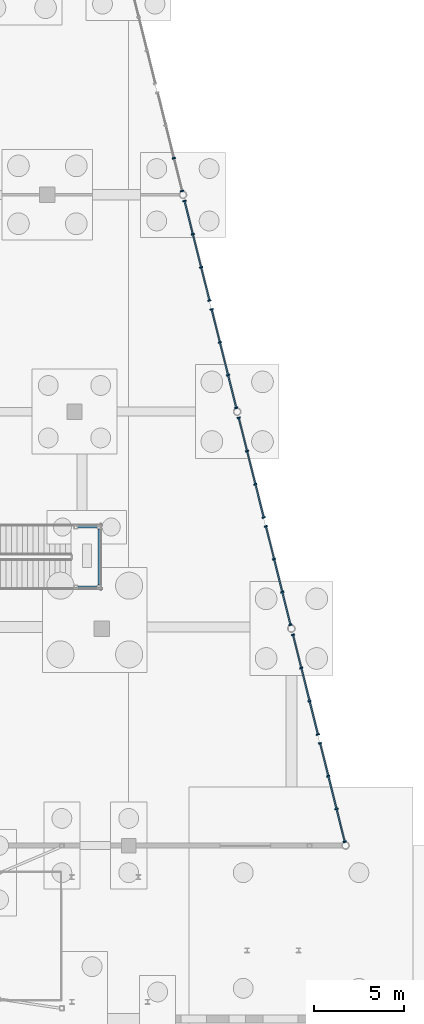
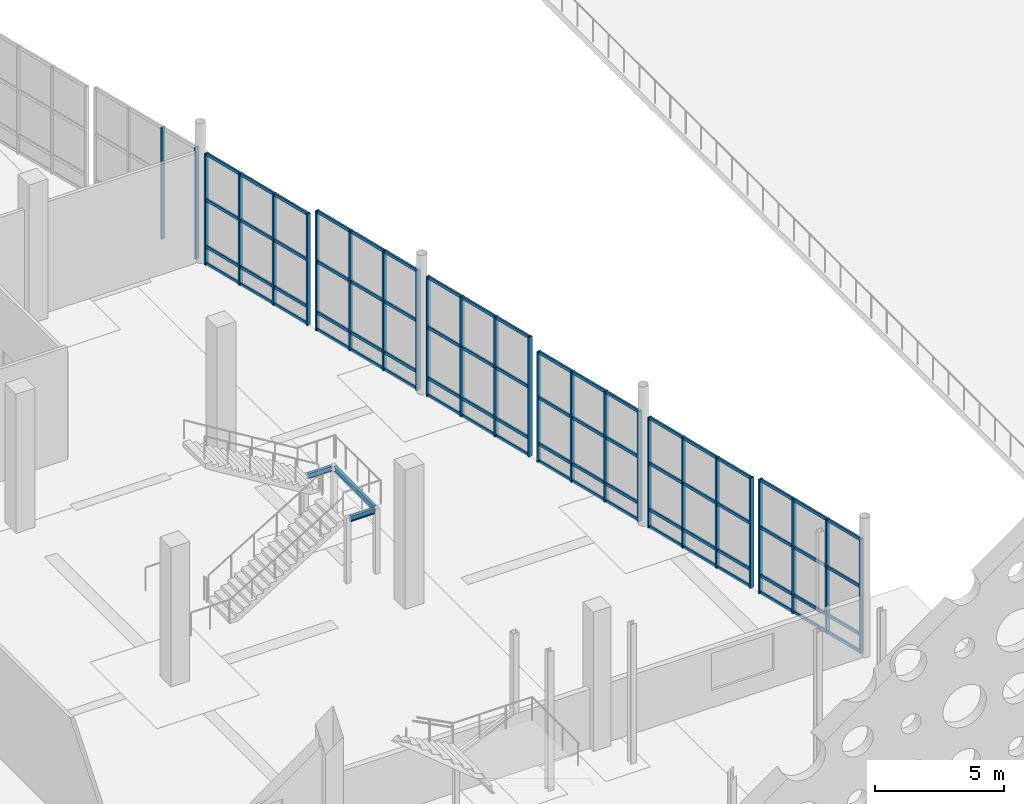
# One storey, part 51 of 117: 50 members, 3 beams, 7 elements without a shape of their own.
"""IFC4 building model written with IfcOpenShell, lengths in metres."""

from ifc_helpers import new_model, si_unit, direction, frame, origin, origin_2d, place, context, subcontext, project, spatial, rectangle, i_section, extrude, material, material_profile, profile_set, type_object, element, aggregate, save


model = new_model("IFC4")

# Units and contexts
model_context = context("Model", 3, precision=1e-05, world=origin(), true_north=direction((0.0, 1.0)))
body_context = subcontext(model_context, "Body", "Model", "MODEL_VIEW")
ifc_project = project(units=[si_unit("LENGTHUNIT", "METRE"), si_unit("AREAUNIT", "SQUARE_METRE"), si_unit("VOLUMEUNIT", "CUBIC_METRE"), si_unit("PLANEANGLEUNIT", "RADIAN"), si_unit("MASSUNIT", "GRAM", prefix="KILO")], contexts=[model_context])

# Site, building, storey
site_placement = place(None, origin())
site = spatial("IfcSite", under=ifc_project, at=site_placement, CompositionType="ELEMENT")
building_placement = place(site_placement, origin())
building = spatial("IfcBuilding", under=site, at=building_placement, Name="Kamomehara Wholesale Market", CompositionType="ELEMENT")
storey_placement = place(building_placement, origin())
storey = spatial("IfcBuildingStorey", under=building, at=storey_placement, Name="L00", CompositionType="ELEMENT", Elevation=0.0)

# Beams
ifc_material_1 = material(Name="Steel SN400B", Category="steel")
ifc_material_profile_1 = material_profile(ifc_material_1, i_section(OverallWidth=0.125, OverallDepth=0.25, WebThickness=0.006103515625, FlangeThickness=0.009033203125, FilletRadius=0.008056640625, at=origin_2d()), Name="H-250x125x6x9")
ifc_profile_set_1 = profile_set([ifc_material_profile_1], Name="Steel SN400B")
beam_type = type_object("IfcBeamType", Name="BM-ST-H250", PredefinedType="JOIST", material=ifc_profile_set_1)
beam_placement = place(storey_placement, frame((190.3701171875, 38.39990234375, 2.97509765625), z_axis=(0.0, 1.0, 0.0), x_axis=(-1.0, 0.0, 0.0)))
element("IfcBeam", 1, at=beam_placement, inside=storey, type_object=beam_type, Name="Beam SJ-06 L00", PredefinedType="JOIST", context=body_context, shape_type="SweptSolid", body=[
    extrude(i_section(OverallWidth=0.125, OverallDepth=0.25, WebThickness=0.006103515625, FlangeThickness=0.009033203125, FilletRadius=0.008056640625, at=origin_2d()), origin(), (0.0, 0.0, 1.0), 3.1201171875),
])
for number, where, z_axis, x_axis, name in (
    (2, (189.169921875, 38.300048828125, 2.97509765625), (1.0, 0.0, 0.0), (0.0, 1.0, 0.0), "Beam SJ-06 L00"),
    (3, (189.169921875, 41.6201171875, 2.97509765625), (1.0, 0.0, 0.0), (0.0, 1.0, 0.0), "Beam SJ-06 L00"),
):
    element("IfcBeam", number, at=place(storey_placement, frame(where, z_axis=z_axis, x_axis=x_axis)), inside=storey, type_object=beam_type, Name=name, PredefinedType="JOIST", context=body_context, shape_type="SweptSolid", body=[
        extrude(i_section(OverallWidth=0.125, OverallDepth=0.25, WebThickness=0.006103515625, FlangeThickness=0.009033203125, FilletRadius=0.008056640625, at=origin_2d()), origin(), (0.0, 0.0, 1.0), 1.10009765625),
    ])

# Curtain wall, members
ifc_material_2 = material(Name="Anodised aluminium 6063-T5", Category="aluminium")
curtain_wall_type = type_object("IfcCurtainWallType", Name="CW-UN-09", PredefinedType="NOTDEFINED", material=ifc_material_2)
curtain_wall_1_placement = place(storey_placement, origin())
curtain_wall_1 = element("IfcCurtainWall", 4, at=curtain_wall_1_placement, inside=storey, type_object=curtain_wall_type, Name="Unitised curtain wall CW-159", PredefinedType="NOTDEFINED")
ifc_material_3 = material(Name="Anodised aluminium 6063-T5", Category="aluminium")
ifc_material_profile_2 = material_profile(ifc_material_3, rectangle(XDim=0.074951171875, YDim=0.179931640625, at=origin_2d()), Name="ALU-MUL-75x180")
ifc_profile_set_2 = profile_set([ifc_material_profile_2], Name="Anodised aluminium 6063-T5")
member_type_1 = type_object("IfcMemberType", Name="CW-MUL-180", PredefinedType="MULLION", material=ifc_profile_set_2)
member_1_placement = place(storey_placement, frame((201.0849609375, 35.659912109375, 0.0), z_axis=(0.0, 0.0, 1.0), x_axis=(0.242617855844, -0.97012193874, 0.0)))
member_1 = element("IfcMember", 5, at=member_1_placement, type_object=member_type_1, Name="Mullion CW-159.0", PredefinedType="MULLION", context=body_context, shape_type="SweptSolid", body=[
    extrude(rectangle(XDim=0.074951171875, YDim=0.179931640625, at=origin_2d()), origin(), (0.0, 0.0, 1.0), 5.22802734375),
])
member_2_placement = place(storey_placement, frame((201.544921875, 33.822021484375, 0.0), z_axis=(0.0, 0.0, 1.0), x_axis=(0.242617855844, -0.97012193874, 0.0)))
member_2 = element("IfcMember", 6, at=member_2_placement, type_object=member_type_1, Name="Mullion CW-159.1", PredefinedType="MULLION", context=body_context, shape_type="SweptSolid", body=[
    extrude(rectangle(XDim=0.074951171875, YDim=0.179931640625, at=origin_2d()), origin(), (0.0, 0.0, 1.0), 5.22802734375),
])
member_3_placement = place(storey_placement, frame((202.00390625, 31.98388671875, 0.0), z_axis=(0.0, 0.0, 1.0), x_axis=(0.242617855844, -0.97012193874, 0.0)))
member_3 = element("IfcMember", 7, at=member_3_placement, type_object=member_type_1, Name="Mullion CW-159.2", PredefinedType="MULLION", context=body_context, shape_type="SweptSolid", body=[
    extrude(rectangle(XDim=0.074951171875, YDim=0.179931640625, at=origin_2d()), origin(), (0.0, 0.0, 1.0), 5.22802734375),
])
member_4_placement = place(storey_placement, frame((202.464111328125, 30.14599609375, 0.0), z_axis=(0.0, 0.0, 1.0), x_axis=(0.242617855844, -0.97012193874, 0.0)))
member_4 = element("IfcMember", 8, at=member_4_placement, type_object=member_type_1, Name="Mullion CW-159.3", PredefinedType="MULLION", context=body_context, shape_type="SweptSolid", body=[
    extrude(rectangle(XDim=0.074951171875, YDim=0.179931640625, at=origin_2d()), origin(), (0.0, 0.0, 1.0), 5.22802734375),
])

curtain_wall_2_placement = place(storey_placement, origin())
curtain_wall_2 = element("IfcCurtainWall", 9, at=curtain_wall_2_placement, inside=storey, type_object=curtain_wall_type, Name="Unitised curtain wall CW-160", PredefinedType="NOTDEFINED")
member_5_placement = place(storey_placement, frame((202.5849609375, 29.659912109375, 0.0), z_axis=(0.0, 0.0, 1.0), x_axis=(0.242494251575, -0.970152842573, 0.0)))
member_5 = element("IfcMember", 10, at=member_5_placement, type_object=member_type_1, Name="Mullion CW-160.0", PredefinedType="MULLION", context=body_context, shape_type="SweptSolid", body=[
    extrude(rectangle(XDim=0.074951171875, YDim=0.179931640625, at=origin_2d()), origin(), (0.0, 0.0, 1.0), 5.403076171875),
])
member_6_placement = place(storey_placement, frame((203.0390625, 27.842041015625, 0.0), z_axis=(0.0, 0.0, 1.0), x_axis=(0.242494251575, -0.970152842573, 0.0)))
member_6 = element("IfcMember", 11, at=member_6_placement, type_object=member_type_1, Name="Mullion CW-160.1", PredefinedType="MULLION", context=body_context, shape_type="SweptSolid", body=[
    extrude(rectangle(XDim=0.074951171875, YDim=0.179931640625, at=origin_2d()), origin(), (0.0, 0.0, 1.0), 5.403076171875),
])
member_7_placement = place(storey_placement, frame((203.493896484375, 26.02490234375, 0.0), z_axis=(0.0, 0.0, 1.0), x_axis=(0.242494251575, -0.970152842573, 0.0)))
member_7 = element("IfcMember", 12, at=member_7_placement, type_object=member_type_1, Name="Mullion CW-160.2", PredefinedType="MULLION", context=body_context, shape_type="SweptSolid", body=[
    extrude(rectangle(XDim=0.074951171875, YDim=0.179931640625, at=origin_2d()), origin(), (0.0, 0.0, 1.0), 5.403076171875),
])
member_8_placement = place(storey_placement, frame((203.947998046875, 24.20703125, 0.0), z_axis=(0.0, 0.0, 1.0), x_axis=(0.242494251575, -0.970152842573, 0.0)))
member_8 = element("IfcMember", 13, at=member_8_placement, type_object=member_type_1, Name="Mullion CW-160.3", PredefinedType="MULLION", context=body_context, shape_type="SweptSolid", body=[
    extrude(rectangle(XDim=0.074951171875, YDim=0.179931640625, at=origin_2d()), origin(), (0.0, 0.0, 1.0), 5.403076171875),
])

curtain_wall_3_placement = place(storey_placement, origin())
curtain_wall_3 = element("IfcCurtainWall", 14, at=curtain_wall_3_placement, inside=storey, type_object=curtain_wall_type, Name="Unitised curtain wall CW-161", PredefinedType="NOTDEFINED")
member_9_placement = place(storey_placement, frame((198.0849609375, 47.659912109375, 0.0), z_axis=(0.0, 0.0, 1.0), x_axis=(0.242617855844, -0.97012193874, 0.0)))
member_9 = element("IfcMember", 15, at=member_9_placement, type_object=member_type_1, Name="Mullion CW-161.0", PredefinedType="MULLION", context=body_context, shape_type="SweptSolid", body=[
    extrude(rectangle(XDim=0.074951171875, YDim=0.179931640625, at=origin_2d()), origin(), (0.0, 0.0, 1.0), 5.669921875),
])
member_10_placement = place(storey_placement, frame((198.544921875, 45.822021484375, 0.0), z_axis=(0.0, 0.0, 1.0), x_axis=(0.242617855844, -0.97012193874, 0.0)))
member_10 = element("IfcMember", 16, at=member_10_placement, type_object=member_type_1, Name="Mullion CW-161.1", PredefinedType="MULLION", context=body_context, shape_type="SweptSolid", body=[
    extrude(rectangle(XDim=0.074951171875, YDim=0.179931640625, at=origin_2d()), origin(), (0.0, 0.0, 1.0), 5.669921875),
])
member_11_placement = place(storey_placement, frame((199.00390625, 43.98388671875, 0.0), z_axis=(0.0, 0.0, 1.0), x_axis=(0.242617855844, -0.97012193874, 0.0)))
member_11 = element("IfcMember", 17, at=member_11_placement, type_object=member_type_1, Name="Mullion CW-161.2", PredefinedType="MULLION", context=body_context, shape_type="SweptSolid", body=[
    extrude(rectangle(XDim=0.074951171875, YDim=0.179931640625, at=origin_2d()), origin(), (0.0, 0.0, 1.0), 5.669921875),
])
member_12_placement = place(storey_placement, frame((199.464111328125, 42.14599609375, 0.0), z_axis=(0.0, 0.0, 1.0), x_axis=(0.242617855844, -0.97012193874, 0.0)))
member_12 = element("IfcMember", 18, at=member_12_placement, type_object=member_type_1, Name="Mullion CW-161.3", PredefinedType="MULLION", context=body_context, shape_type="SweptSolid", body=[
    extrude(rectangle(XDim=0.074951171875, YDim=0.179931640625, at=origin_2d()), origin(), (0.0, 0.0, 1.0), 5.669921875),
])

curtain_wall_4_placement = place(storey_placement, origin())
curtain_wall_4 = element("IfcCurtainWall", 19, at=curtain_wall_4_placement, inside=storey, type_object=curtain_wall_type, Name="Unitised curtain wall CW-162", PredefinedType="NOTDEFINED")
member_13_placement = place(storey_placement, frame((199.5849609375, 41.659912109375, 0.0), z_axis=(0.0, 0.0, 1.0), x_axis=(0.242494251575, -0.970152842573, 0.0)))
member_13 = element("IfcMember", 20, at=member_13_placement, type_object=member_type_1, Name="Mullion CW-162.0", PredefinedType="MULLION", context=body_context, shape_type="SweptSolid", body=[
    extrude(rectangle(XDim=0.074951171875, YDim=0.179931640625, at=origin_2d()), origin(), (0.0, 0.0, 1.0), 5.22802734375),
])
member_14_placement = place(storey_placement, frame((200.0390625, 39.842041015625, 0.0), z_axis=(0.0, 0.0, 1.0), x_axis=(0.242494251575, -0.970152842573, 0.0)))
member_14 = element("IfcMember", 21, at=member_14_placement, type_object=member_type_1, Name="Mullion CW-162.1", PredefinedType="MULLION", context=body_context, shape_type="SweptSolid", body=[
    extrude(rectangle(XDim=0.074951171875, YDim=0.179931640625, at=origin_2d()), origin(), (0.0, 0.0, 1.0), 5.22802734375),
])
member_15_placement = place(storey_placement, frame((200.493896484375, 38.02490234375, 0.0), z_axis=(0.0, 0.0, 1.0), x_axis=(0.242494251575, -0.970152842573, 0.0)))
member_15 = element("IfcMember", 22, at=member_15_placement, type_object=member_type_1, Name="Mullion CW-162.2", PredefinedType="MULLION", context=body_context, shape_type="SweptSolid", body=[
    extrude(rectangle(XDim=0.074951171875, YDim=0.179931640625, at=origin_2d()), origin(), (0.0, 0.0, 1.0), 5.22802734375),
])
member_16_placement = place(storey_placement, frame((200.947998046875, 36.20703125, 0.0), z_axis=(0.0, 0.0, 1.0), x_axis=(0.242494251575, -0.970152842573, 0.0)))
member_16 = element("IfcMember", 23, at=member_16_placement, type_object=member_type_1, Name="Mullion CW-162.3", PredefinedType="MULLION", context=body_context, shape_type="SweptSolid", body=[
    extrude(rectangle(XDim=0.074951171875, YDim=0.179931640625, at=origin_2d()), origin(), (0.0, 0.0, 1.0), 5.22802734375),
])

curtain_wall_5_placement = place(storey_placement, origin())
curtain_wall_5 = element("IfcCurtainWall", 24, at=curtain_wall_5_placement, inside=storey, type_object=curtain_wall_type, Name="Unitised curtain wall CW-163", PredefinedType="NOTDEFINED")
member_17_placement = place(storey_placement, frame((195.0849609375, 59.659912109375, 0.0), z_axis=(0.0, 0.0, 1.0), x_axis=(0.242617855844, -0.97012193874, 0.0)))
member_17 = element("IfcMember", 25, at=member_17_placement, type_object=member_type_1, Name="Mullion CW-163.0", PredefinedType="MULLION", context=body_context, shape_type="SweptSolid", body=[
    extrude(rectangle(XDim=0.074951171875, YDim=0.179931640625, at=origin_2d()), origin(), (0.0, 0.0, 1.0), 5.278076171875),
])
member_18_placement = place(storey_placement, frame((195.544921875, 57.822021484375, 0.0), z_axis=(0.0, 0.0, 1.0), x_axis=(0.242617855844, -0.97012193874, 0.0)))
member_18 = element("IfcMember", 26, at=member_18_placement, type_object=member_type_1, Name="Mullion CW-163.1", PredefinedType="MULLION", context=body_context, shape_type="SweptSolid", body=[
    extrude(rectangle(XDim=0.074951171875, YDim=0.179931640625, at=origin_2d()), origin(), (0.0, 0.0, 1.0), 5.278076171875),
])
member_19_placement = place(storey_placement, frame((196.00390625, 55.98388671875, 0.0), z_axis=(0.0, 0.0, 1.0), x_axis=(0.242617855844, -0.97012193874, 0.0)))
member_19 = element("IfcMember", 27, at=member_19_placement, type_object=member_type_1, Name="Mullion CW-163.2", PredefinedType="MULLION", context=body_context, shape_type="SweptSolid", body=[
    extrude(rectangle(XDim=0.074951171875, YDim=0.179931640625, at=origin_2d()), origin(), (0.0, 0.0, 1.0), 5.278076171875),
])
member_20_placement = place(storey_placement, frame((196.464111328125, 54.14599609375, 0.0), z_axis=(0.0, 0.0, 1.0), x_axis=(0.242617855844, -0.97012193874, 0.0)))
member_20 = element("IfcMember", 28, at=member_20_placement, type_object=member_type_1, Name="Mullion CW-163.3", PredefinedType="MULLION", context=body_context, shape_type="SweptSolid", body=[
    extrude(rectangle(XDim=0.074951171875, YDim=0.179931640625, at=origin_2d()), origin(), (0.0, 0.0, 1.0), 5.278076171875),
])

curtain_wall_6_placement = place(storey_placement, origin())
curtain_wall_6 = element("IfcCurtainWall", 29, at=curtain_wall_6_placement, inside=storey, type_object=curtain_wall_type, Name="Unitised curtain wall CW-164", PredefinedType="NOTDEFINED")
member_21_placement = place(storey_placement, frame((196.5849609375, 53.659912109375, 0.0), z_axis=(0.0, 0.0, 1.0), x_axis=(0.242494251575, -0.970152842573, 0.0)))
member_21 = element("IfcMember", 30, at=member_21_placement, type_object=member_type_1, Name="Mullion CW-164.0", PredefinedType="MULLION", context=body_context, shape_type="SweptSolid", body=[
    extrude(rectangle(XDim=0.074951171875, YDim=0.179931640625, at=origin_2d()), origin(), (0.0, 0.0, 1.0), 5.669921875),
])
member_22_placement = place(storey_placement, frame((197.0390625, 51.842041015625, 0.0), z_axis=(0.0, 0.0, 1.0), x_axis=(0.242494251575, -0.970152842573, 0.0)))
member_22 = element("IfcMember", 31, at=member_22_placement, type_object=member_type_1, Name="Mullion CW-164.1", PredefinedType="MULLION", context=body_context, shape_type="SweptSolid", body=[
    extrude(rectangle(XDim=0.074951171875, YDim=0.179931640625, at=origin_2d()), origin(), (0.0, 0.0, 1.0), 5.669921875),
])
member_23_placement = place(storey_placement, frame((197.493896484375, 50.02490234375, 0.0), z_axis=(0.0, 0.0, 1.0), x_axis=(0.242494251575, -0.970152842573, 0.0)))
member_23 = element("IfcMember", 32, at=member_23_placement, type_object=member_type_1, Name="Mullion CW-164.2", PredefinedType="MULLION", context=body_context, shape_type="SweptSolid", body=[
    extrude(rectangle(XDim=0.074951171875, YDim=0.179931640625, at=origin_2d()), origin(), (0.0, 0.0, 1.0), 5.669921875),
])
member_24_placement = place(storey_placement, frame((197.947998046875, 48.20703125, 0.0), z_axis=(0.0, 0.0, 1.0), x_axis=(0.242494251575, -0.970152842573, 0.0)))
member_24 = element("IfcMember", 33, at=member_24_placement, type_object=member_type_1, Name="Mullion CW-164.3", PredefinedType="MULLION", context=body_context, shape_type="SweptSolid", body=[
    extrude(rectangle(XDim=0.074951171875, YDim=0.179931640625, at=origin_2d()), origin(), (0.0, 0.0, 1.0), 5.669921875),
])

curtain_wall_7_placement = place(storey_placement, origin())
curtain_wall_7 = element("IfcCurtainWall", 34, at=curtain_wall_7_placement, inside=storey, type_object=curtain_wall_type, Name="Unitised curtain wall CW-166", PredefinedType="NOTDEFINED")
member_25_placement = place(storey_placement, frame((194.493896484375, 62.02490234375, 0.0), z_axis=(0.0, 0.0, 1.0), x_axis=(0.242494251575, -0.970152842573, 0.0)))
member_25 = element("IfcMember", 35, at=member_25_placement, type_object=member_type_1, Name="Mullion CW-166.2", PredefinedType="MULLION", context=body_context, shape_type="SweptSolid", body=[
    extrude(rectangle(XDim=0.074951171875, YDim=0.179931640625, at=origin_2d()), origin(), (0.0, 0.0, 1.0), 5.278076171875),
])
member_26_placement = place(storey_placement, frame((194.947998046875, 60.20703125, 0.0), z_axis=(0.0, 0.0, 1.0), x_axis=(0.242494251575, -0.970152842573, 0.0)))
member_26 = element("IfcMember", 36, at=member_26_placement, type_object=member_type_1, Name="Mullion CW-166.3", PredefinedType="MULLION", context=body_context, shape_type="SweptSolid", body=[
    extrude(rectangle(XDim=0.074951171875, YDim=0.179931640625, at=origin_2d()), origin(), (0.0, 0.0, 1.0), 5.278076171875),
])
aggregate(curtain_wall_7, [member_25, member_26])

# Member
ifc_material_4 = material(Name="Anodised aluminium 6063-T5", Category="aluminium")
ifc_material_profile_3 = material_profile(ifc_material_4, rectangle(XDim=0.074951171875, YDim=0.14990234375, at=origin_2d()), Name="ALU-TRN-75x150")
ifc_profile_set_3 = profile_set([ifc_material_profile_3], Name="Anodised aluminium 6063-T5")
member_type_2 = type_object("IfcMemberType", Name="CW-TRN-150", PredefinedType="USERDEFINED", material=ifc_profile_set_3)
member_27_placement = place(storey_placement, frame((201.0849609375, 35.659912109375, 0.0400390625), z_axis=(0.242646798343, -0.97011470005, 0.0), x_axis=(0.97011470005, 0.242646798343, 0.0)))
member_27 = element("IfcMember", 37, at=member_27_placement, type_object=member_type_2, Name="Transom CW-159.0", ObjectType="TRANSOM", PredefinedType="USERDEFINED", context=body_context, shape_type="SweptSolid", body=[
    extrude(rectangle(XDim=0.074951171875, YDim=0.14990234375, at=origin_2d()), origin(), (0.0, 0.0, 1.0), 5.683837890625),
])

member_28_placement = place(storey_placement, frame((201.0849609375, 35.659912109375, 0.85009765625), z_axis=(0.242646798343, -0.97011470005, 0.0), x_axis=(0.97011470005, 0.242646798343, 0.0)))
member_28 = element("IfcMember", 38, at=member_28_placement, type_object=member_type_2, Name="Transom CW-159.1", ObjectType="TRANSOM", PredefinedType="USERDEFINED", context=body_context, shape_type="SweptSolid", body=[
    extrude(rectangle(XDim=0.074951171875, YDim=0.14990234375, at=origin_2d()), origin(), (0.0, 0.0, 1.0), 5.683837890625),
])

member_29_placement = place(storey_placement, frame((201.0849609375, 35.659912109375, 3.0390625), z_axis=(0.242646798343, -0.97011470005, 0.0), x_axis=(0.97011470005, 0.242646798343, 0.0)))
member_29 = element("IfcMember", 39, at=member_29_placement, type_object=member_type_2, Name="Transom CW-159.2", ObjectType="TRANSOM", PredefinedType="USERDEFINED", context=body_context, shape_type="SweptSolid", body=[
    extrude(rectangle(XDim=0.074951171875, YDim=0.14990234375, at=origin_2d()), origin(), (0.0, 0.0, 1.0), 5.683837890625),
])

member_30_placement = place(storey_placement, frame((201.0849609375, 35.659912109375, 5.18798828125), z_axis=(0.242646798343, -0.97011470005, 0.0), x_axis=(0.97011470005, 0.242646798343, 0.0)))
member_30 = element("IfcMember", 40, at=member_30_placement, type_object=member_type_2, Name="Transom CW-159.3", ObjectType="TRANSOM", PredefinedType="USERDEFINED", context=body_context, shape_type="SweptSolid", body=[
    extrude(rectangle(XDim=0.074951171875, YDim=0.14990234375, at=origin_2d()), origin(), (0.0, 0.0, 1.0), 5.683837890625),
])

aggregate(curtain_wall_1, [member_1, member_2, member_3, member_4, member_27, member_28, member_29, member_30])

member_31_placement = place(storey_placement, frame((202.5849609375, 29.659912109375, 0.0400390625), z_axis=(0.242504963985, -0.970150164893, 0.0), x_axis=(0.970150164893, 0.242504963985, 0.0)))
member_31 = element("IfcMember", 41, at=member_31_placement, type_object=member_type_2, Name="Transom CW-160.0", ObjectType="TRANSOM", PredefinedType="USERDEFINED", context=body_context, shape_type="SweptSolid", body=[
    extrude(rectangle(XDim=0.074951171875, YDim=0.14990234375, at=origin_2d()), origin(), (0.0, 0.0, 1.0), 5.62060546875),
])

member_32_placement = place(storey_placement, frame((202.5849609375, 29.659912109375, 0.85009765625), z_axis=(0.242504963985, -0.970150164893, 0.0), x_axis=(0.970150164893, 0.242504963985, 0.0)))
member_32 = element("IfcMember", 42, at=member_32_placement, type_object=member_type_2, Name="Transom CW-160.1", ObjectType="TRANSOM", PredefinedType="USERDEFINED", context=body_context, shape_type="SweptSolid", body=[
    extrude(rectangle(XDim=0.074951171875, YDim=0.14990234375, at=origin_2d()), origin(), (0.0, 0.0, 1.0), 5.62060546875),
])

member_33_placement = place(storey_placement, frame((202.5849609375, 29.659912109375, 3.1259765625), z_axis=(0.242504963985, -0.970150164893, 0.0), x_axis=(0.970150164893, 0.242504963985, 0.0)))
member_33 = element("IfcMember", 43, at=member_33_placement, type_object=member_type_2, Name="Transom CW-160.2", ObjectType="TRANSOM", PredefinedType="USERDEFINED", context=body_context, shape_type="SweptSolid", body=[
    extrude(rectangle(XDim=0.074951171875, YDim=0.14990234375, at=origin_2d()), origin(), (0.0, 0.0, 1.0), 5.62060546875),
])

member_34_placement = place(storey_placement, frame((202.5849609375, 29.659912109375, 5.363037109375), z_axis=(0.242504963985, -0.970150164893, 0.0), x_axis=(0.970150164893, 0.242504963985, 0.0)))
member_34 = element("IfcMember", 44, at=member_34_placement, type_object=member_type_2, Name="Transom CW-160.3", ObjectType="TRANSOM", PredefinedType="USERDEFINED", context=body_context, shape_type="SweptSolid", body=[
    extrude(rectangle(XDim=0.074951171875, YDim=0.14990234375, at=origin_2d()), origin(), (0.0, 0.0, 1.0), 5.62060546875),
])

aggregate(curtain_wall_2, [member_5, member_6, member_7, member_8, member_31, member_32, member_33, member_34])

member_35_placement = place(storey_placement, frame((198.0849609375, 47.659912109375, 0.0400390625), z_axis=(0.242646798343, -0.97011470005, 0.0), x_axis=(0.97011470005, 0.242646798343, 0.0)))
member_35 = element("IfcMember", 45, at=member_35_placement, type_object=member_type_2, Name="Transom CW-161.0", ObjectType="TRANSOM", PredefinedType="USERDEFINED", context=body_context, shape_type="SweptSolid", body=[
    extrude(rectangle(XDim=0.074951171875, YDim=0.14990234375, at=origin_2d()), origin(), (0.0, 0.0, 1.0), 5.683837890625),
])

member_36_placement = place(storey_placement, frame((198.0849609375, 47.659912109375, 0.85009765625), z_axis=(0.242646798343, -0.97011470005, 0.0), x_axis=(0.97011470005, 0.242646798343, 0.0)))
member_36 = element("IfcMember", 46, at=member_36_placement, type_object=member_type_2, Name="Transom CW-161.1", ObjectType="TRANSOM", PredefinedType="USERDEFINED", context=body_context, shape_type="SweptSolid", body=[
    extrude(rectangle(XDim=0.074951171875, YDim=0.14990234375, at=origin_2d()), origin(), (0.0, 0.0, 1.0), 5.683837890625),
])

member_37_placement = place(storey_placement, frame((198.0849609375, 47.659912109375, 3.260009765625), z_axis=(0.242646798343, -0.97011470005, 0.0), x_axis=(0.97011470005, 0.242646798343, 0.0)))
member_37 = element("IfcMember", 47, at=member_37_placement, type_object=member_type_2, Name="Transom CW-161.2", ObjectType="TRANSOM", PredefinedType="USERDEFINED", context=body_context, shape_type="SweptSolid", body=[
    extrude(rectangle(XDim=0.074951171875, YDim=0.14990234375, at=origin_2d()), origin(), (0.0, 0.0, 1.0), 5.683837890625),
])

member_38_placement = place(storey_placement, frame((198.0849609375, 47.659912109375, 5.6298828125), z_axis=(0.242646798343, -0.97011470005, 0.0), x_axis=(0.97011470005, 0.242646798343, 0.0)))
member_38 = element("IfcMember", 48, at=member_38_placement, type_object=member_type_2, Name="Transom CW-161.3", ObjectType="TRANSOM", PredefinedType="USERDEFINED", context=body_context, shape_type="SweptSolid", body=[
    extrude(rectangle(XDim=0.074951171875, YDim=0.14990234375, at=origin_2d()), origin(), (0.0, 0.0, 1.0), 5.683837890625),
])

aggregate(curtain_wall_3, [member_9, member_10, member_11, member_12, member_35, member_36, member_37, member_38])

member_39_placement = place(storey_placement, frame((199.5849609375, 41.659912109375, 0.0400390625), z_axis=(0.242504963985, -0.970150164893, 0.0), x_axis=(0.970150164893, 0.242504963985, 0.0)))
member_39 = element("IfcMember", 49, at=member_39_placement, type_object=member_type_2, Name="Transom CW-162.0", ObjectType="TRANSOM", PredefinedType="USERDEFINED", context=body_context, shape_type="SweptSolid", body=[
    extrude(rectangle(XDim=0.074951171875, YDim=0.14990234375, at=origin_2d()), origin(), (0.0, 0.0, 1.0), 5.62060546875),
])

member_40_placement = place(storey_placement, frame((199.5849609375, 41.659912109375, 0.85009765625), z_axis=(0.242504963985, -0.970150164893, 0.0), x_axis=(0.970150164893, 0.242504963985, 0.0)))
member_40 = element("IfcMember", 50, at=member_40_placement, type_object=member_type_2, Name="Transom CW-162.1", ObjectType="TRANSOM", PredefinedType="USERDEFINED", context=body_context, shape_type="SweptSolid", body=[
    extrude(rectangle(XDim=0.074951171875, YDim=0.14990234375, at=origin_2d()), origin(), (0.0, 0.0, 1.0), 5.62060546875),
])

member_41_placement = place(storey_placement, frame((199.5849609375, 41.659912109375, 3.0390625), z_axis=(0.242504963985, -0.970150164893, 0.0), x_axis=(0.970150164893, 0.242504963985, 0.0)))
member_41 = element("IfcMember", 51, at=member_41_placement, type_object=member_type_2, Name="Transom CW-162.2", ObjectType="TRANSOM", PredefinedType="USERDEFINED", context=body_context, shape_type="SweptSolid", body=[
    extrude(rectangle(XDim=0.074951171875, YDim=0.14990234375, at=origin_2d()), origin(), (0.0, 0.0, 1.0), 5.62060546875),
])

member_42_placement = place(storey_placement, frame((199.5849609375, 41.659912109375, 5.18798828125), z_axis=(0.242504963985, -0.970150164893, 0.0), x_axis=(0.970150164893, 0.242504963985, 0.0)))
member_42 = element("IfcMember", 52, at=member_42_placement, type_object=member_type_2, Name="Transom CW-162.3", ObjectType="TRANSOM", PredefinedType="USERDEFINED", context=body_context, shape_type="SweptSolid", body=[
    extrude(rectangle(XDim=0.074951171875, YDim=0.14990234375, at=origin_2d()), origin(), (0.0, 0.0, 1.0), 5.62060546875),
])

aggregate(curtain_wall_4, [member_13, member_14, member_15, member_16, member_39, member_40, member_41, member_42])

member_43_placement = place(storey_placement, frame((195.0849609375, 59.659912109375, 0.0400390625), z_axis=(0.242646798343, -0.97011470005, 0.0), x_axis=(0.97011470005, 0.242646798343, 0.0)))
member_43 = element("IfcMember", 53, at=member_43_placement, type_object=member_type_2, Name="Transom CW-163.0", ObjectType="TRANSOM", PredefinedType="USERDEFINED", context=body_context, shape_type="SweptSolid", body=[
    extrude(rectangle(XDim=0.074951171875, YDim=0.14990234375, at=origin_2d()), origin(), (0.0, 0.0, 1.0), 5.683837890625),
])

member_44_placement = place(storey_placement, frame((195.0849609375, 59.659912109375, 0.85009765625), z_axis=(0.242646798343, -0.97011470005, 0.0), x_axis=(0.97011470005, 0.242646798343, 0.0)))
member_44 = element("IfcMember", 54, at=member_44_placement, type_object=member_type_2, Name="Transom CW-163.1", ObjectType="TRANSOM", PredefinedType="USERDEFINED", context=body_context, shape_type="SweptSolid", body=[
    extrude(rectangle(XDim=0.074951171875, YDim=0.14990234375, at=origin_2d()), origin(), (0.0, 0.0, 1.0), 5.683837890625),
])

member_45_placement = place(storey_placement, frame((195.0849609375, 59.659912109375, 3.06396484375), z_axis=(0.242646798343, -0.97011470005, 0.0), x_axis=(0.97011470005, 0.242646798343, 0.0)))
member_45 = element("IfcMember", 55, at=member_45_placement, type_object=member_type_2, Name="Transom CW-163.2", ObjectType="TRANSOM", PredefinedType="USERDEFINED", context=body_context, shape_type="SweptSolid", body=[
    extrude(rectangle(XDim=0.074951171875, YDim=0.14990234375, at=origin_2d()), origin(), (0.0, 0.0, 1.0), 5.683837890625),
])

member_46_placement = place(storey_placement, frame((195.0849609375, 59.659912109375, 5.238037109375), z_axis=(0.242646798343, -0.97011470005, 0.0), x_axis=(0.97011470005, 0.242646798343, 0.0)))
member_46 = element("IfcMember", 56, at=member_46_placement, type_object=member_type_2, Name="Transom CW-163.3", ObjectType="TRANSOM", PredefinedType="USERDEFINED", context=body_context, shape_type="SweptSolid", body=[
    extrude(rectangle(XDim=0.074951171875, YDim=0.14990234375, at=origin_2d()), origin(), (0.0, 0.0, 1.0), 5.683837890625),
])

aggregate(curtain_wall_5, [member_17, member_18, member_19, member_20, member_43, member_44, member_45, member_46])

member_47_placement = place(storey_placement, frame((196.5849609375, 53.659912109375, 0.0400390625), z_axis=(0.242504963985, -0.970150164893, 0.0), x_axis=(0.970150164893, 0.242504963985, 0.0)))
member_47 = element("IfcMember", 57, at=member_47_placement, type_object=member_type_2, Name="Transom CW-164.0", ObjectType="TRANSOM", PredefinedType="USERDEFINED", context=body_context, shape_type="SweptSolid", body=[
    extrude(rectangle(XDim=0.074951171875, YDim=0.14990234375, at=origin_2d()), origin(), (0.0, 0.0, 1.0), 5.62060546875),
])

member_48_placement = place(storey_placement, frame((196.5849609375, 53.659912109375, 0.85009765625), z_axis=(0.242504963985, -0.970150164893, 0.0), x_axis=(0.970150164893, 0.242504963985, 0.0)))
member_48 = element("IfcMember", 58, at=member_48_placement, type_object=member_type_2, Name="Transom CW-164.1", ObjectType="TRANSOM", PredefinedType="USERDEFINED", context=body_context, shape_type="SweptSolid", body=[
    extrude(rectangle(XDim=0.074951171875, YDim=0.14990234375, at=origin_2d()), origin(), (0.0, 0.0, 1.0), 5.62060546875),
])

member_49_placement = place(storey_placement, frame((196.5849609375, 53.659912109375, 3.260009765625), z_axis=(0.242504963985, -0.970150164893, 0.0), x_axis=(0.970150164893, 0.242504963985, 0.0)))
member_49 = element("IfcMember", 59, at=member_49_placement, type_object=member_type_2, Name="Transom CW-164.2", ObjectType="TRANSOM", PredefinedType="USERDEFINED", context=body_context, shape_type="SweptSolid", body=[
    extrude(rectangle(XDim=0.074951171875, YDim=0.14990234375, at=origin_2d()), origin(), (0.0, 0.0, 1.0), 5.62060546875),
])

member_50_placement = place(storey_placement, frame((196.5849609375, 53.659912109375, 5.6298828125), z_axis=(0.242504963985, -0.970150164893, 0.0), x_axis=(0.970150164893, 0.242504963985, 0.0)))
member_50 = element("IfcMember", 60, at=member_50_placement, type_object=member_type_2, Name="Transom CW-164.3", ObjectType="TRANSOM", PredefinedType="USERDEFINED", context=body_context, shape_type="SweptSolid", body=[
    extrude(rectangle(XDim=0.074951171875, YDim=0.14990234375, at=origin_2d()), origin(), (0.0, 0.0, 1.0), 5.62060546875),
])

aggregate(curtain_wall_6, [member_21, member_22, member_23, member_24, member_47, member_48, member_49, member_50])

save(model, "model.ifc")
